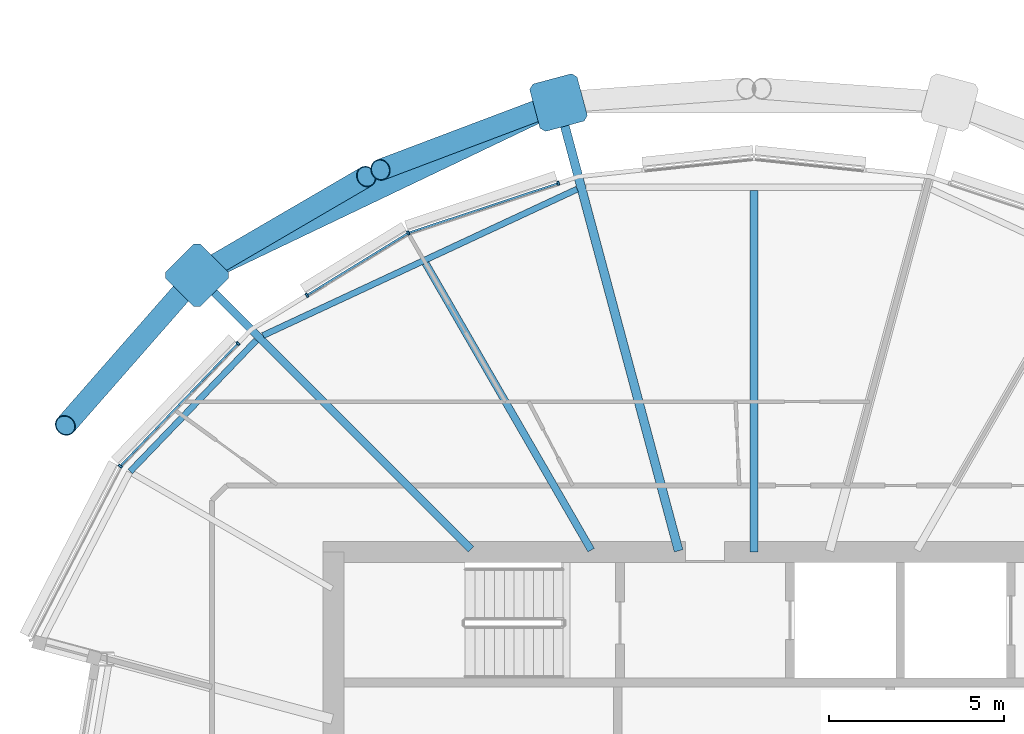
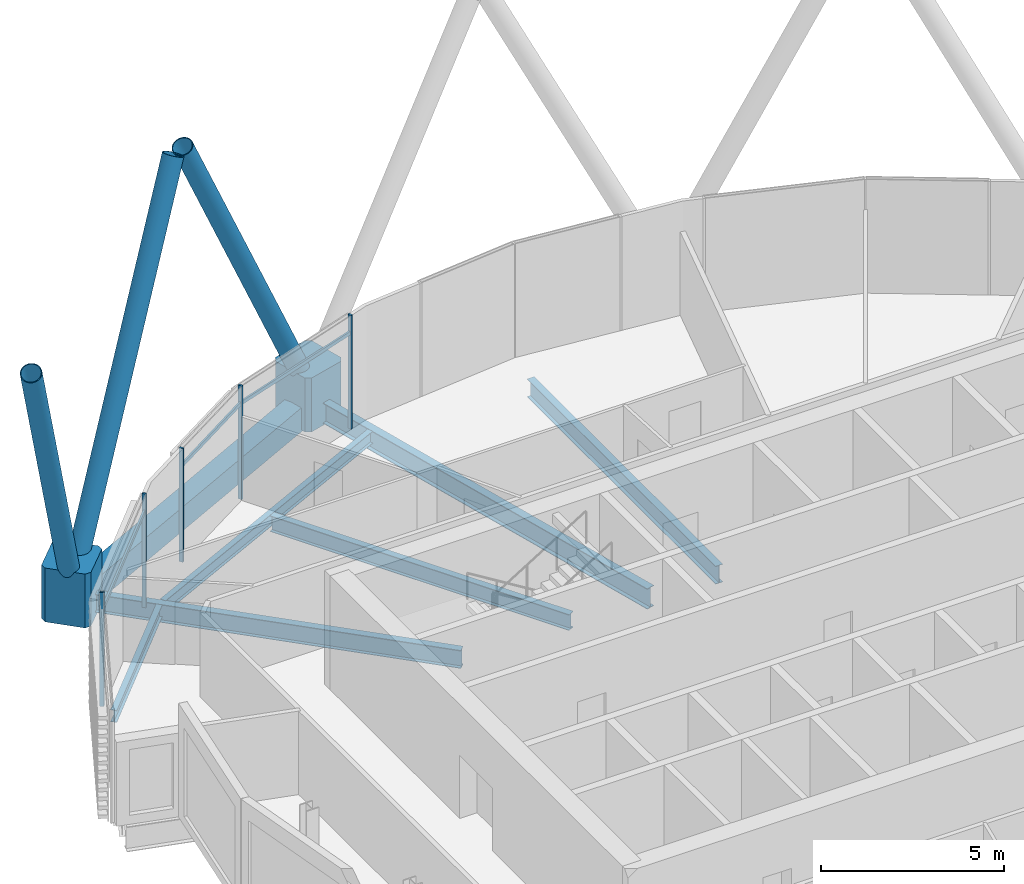
# One storey, part 10 of 36: 13 members, 7 beams, 1 element without a shape of its own.
"""IFC4 building model written with IfcOpenShell, lengths in metres."""

from ifc_helpers import new_model, si_unit, direction, frame, origin, origin_2d, place, context, subcontext, project, spatial, polyline, rectangle, hollow_rectangle, hollow_circle, i_section, outline, extrude, material, material_profile, profile_set, type_object, element, aggregate, save


model = new_model("IFC4")

# Units and contexts
model_context = context("Model", 3, precision=1e-05, world=origin(), true_north=direction((0.0, 1.0)))
body_context = subcontext(model_context, "Body", "Model", "MODEL_VIEW")
ifc_project = project(units=[si_unit("LENGTHUNIT", "METRE"), si_unit("AREAUNIT", "SQUARE_METRE"), si_unit("VOLUMEUNIT", "CUBIC_METRE"), si_unit("PLANEANGLEUNIT", "RADIAN"), si_unit("MASSUNIT", "GRAM", prefix="KILO")], contexts=[model_context])

# Site, building, storey
site_placement = place(None, origin())
site = spatial("IfcSite", under=ifc_project, at=site_placement, CompositionType="ELEMENT")
building_placement = place(site_placement, origin())
building = spatial("IfcBuilding", under=site, at=building_placement, Name="Rimbun Link Towers", CompositionType="ELEMENT")
storey_placement = place(building_placement, frame((0.0, 0.0, 193.10009765625)))
storey = spatial("IfcBuildingStorey", under=building, at=storey_placement, Name="L47", CompositionType="ELEMENT", Elevation=193.10009765625)

# Curtain wall, members
ifc_material_1 = material(Name="Aluminium 6063-T6 and low-iron glass", Category="aluminium")
curtain_wall_type = type_object("IfcCurtainWallType", Name="CW1-Z3 unitised vision wall (zone 3)", PredefinedType="NOTDEFINED", material=ifc_material_1)
curtain_wall_placement = place(storey_placement, origin())
curtain_wall = element("IfcCurtainWall", 1, at=curtain_wall_placement, inside=storey, type_object=curtain_wall_type, Name="CW1 L47 T1", PredefinedType="NOTDEFINED")
ifc_material_2 = material(Name="Aluminium 6063-T6", Category="aluminium")
ifc_material_profile_1 = material_profile(ifc_material_2, rectangle(XDim=0.1201171875, YDim=0.06005859375, at=origin_2d()), Name="MULLION 60X120")
ifc_profile_set_1 = profile_set([ifc_material_profile_1], Name="Aluminium 6063-T6")
member_type_1 = type_object("IfcMemberType", Name="CW1 mullion 60X120", PredefinedType="MULLION", material=ifc_profile_set_1)
member_1_placement = place(storey_placement, frame((-41.618896484375, 17.10400390625, 0.0), z_axis=(0.0, 0.0, 1.0), x_axis=(-0.421694621362, 0.906737914899, 0.0)))
member_1 = element("IfcMember", 2, at=member_1_placement, type_object=member_type_1, Name="CW1 mullion", PredefinedType="MULLION", context=body_context, shape_type="SweptSolid", body=[
    extrude(rectangle(XDim=0.1201171875, YDim=0.06005859375, at=origin_2d()), origin(), (0.0, 0.0, 1.0), 3.7998046875),
])
member_2_placement = place(storey_placement, frame((-37.337158203125, 18.5234375, 0.0), z_axis=(0.0, 0.0, 1.0), x_axis=(-0.314557993327, 0.949238257149, 0.0)))
member_2 = element("IfcMember", 3, at=member_2_placement, type_object=member_type_1, Name="CW1 mullion", PredefinedType="MULLION", context=body_context, shape_type="SweptSolid", body=[
    extrude(rectangle(XDim=0.1201171875, YDim=0.06005859375, at=origin_2d()), origin(), (0.0, 0.0, 1.0), 3.7998046875),
])
member_3_placement = place(storey_placement, frame((-44.51318359375, 15.327392578125, 0.0), z_axis=(0.0, 0.0, 1.0), x_axis=(-0.523229231966, 0.852191980023, 0.0)))
member_3 = element("IfcMember", 4, at=member_3_placement, type_object=member_type_1, Name="CW1 mullion", PredefinedType="MULLION", context=body_context, shape_type="SweptSolid", body=[
    extrude(rectangle(XDim=0.1201171875, YDim=0.06005859375, at=origin_2d()), origin(), (0.0, 0.0, 1.0), 3.7998046875),
])
member_4_placement = place(storey_placement, frame((-49.839111328125, 10.450439453125, 0.0), z_axis=(0.0, 0.0, 1.0), x_axis=(-0.813350615069, 0.581773819423, 0.0)))
member_4 = element("IfcMember", 5, at=member_4_placement, type_object=member_type_1, Name="CW1 mullion", PredefinedType="MULLION", context=body_context, shape_type="SweptSolid", body=[
    extrude(rectangle(XDim=0.1201171875, YDim=0.06005859375, at=origin_2d()), origin(), (0.0, 0.0, 1.0), 3.7998046875),
])
member_5_placement = place(storey_placement, frame((-46.482421875, 13.952880859375, 0.0), z_axis=(0.0, 0.0, 1.0), x_axis=(-0.721858505917, 0.692040676143, 0.0)))
member_5 = element("IfcMember", 6, at=member_5_placement, type_object=member_type_1, Name="CW1 mullion", PredefinedType="MULLION", context=body_context, shape_type="SweptSolid", body=[
    extrude(rectangle(XDim=0.1201171875, YDim=0.06005859375, at=origin_2d()), origin(), (0.0, 0.0, 1.0), 3.7998046875),
])
ifc_material_3 = material(Name="Aluminium 6063-T6", Category="aluminium")
ifc_material_profile_2 = material_profile(ifc_material_3, rectangle(XDim=0.06005859375, YDim=0.1201171875, at=origin_2d()), Name="TRANSOM 60X120")
ifc_profile_set_2 = profile_set([ifc_material_profile_2], Name="Aluminium 6063-T6")
member_type_2 = type_object("IfcMemberType", Name="CW1 transom 60X120", PredefinedType="USERDEFINED", material=ifc_profile_set_2)
member_6_placement = place(storey_placement, frame((-41.583251953125, 17.1142578125, 3.199951171875), z_axis=(0.949247657744, 0.314529623833, 0.0), x_axis=(-0.314529623833, 0.949247657744, 0.0)))
member_6 = element("IfcMember", 7, at=member_6_placement, type_object=member_type_2, Name="CW1 transom", ObjectType="TRANSOM", PredefinedType="USERDEFINED", context=body_context, shape_type="SweptSolid", body=[
    extrude(rectangle(XDim=0.06005859375, YDim=0.1201171875, at=origin_2d()), origin(), (0.0, 0.0, 1.0), 4.44384765625),
])
member_7_placement = place(storey_placement, frame((-44.486572265625, 15.341552734375, 3.199951171875), z_axis=(0.852194171963, 0.523225661901, 0.0), x_axis=(-0.523225661901, 0.852194171963, 0.0)))
member_7 = element("IfcMember", 8, at=member_7_placement, type_object=member_type_2, Name="CW1 transom", ObjectType="TRANSOM", PredefinedType="USERDEFINED", context=body_context, shape_type="SweptSolid", body=[
    extrude(rectangle(XDim=0.06005859375, YDim=0.1201171875, at=origin_2d()), origin(), (0.0, 0.0, 1.0), 3.329345703125),
])
member_8_placement = place(storey_placement, frame((-49.8115234375, 10.477294921875, 3.199951171875), z_axis=(0.692018439281, 0.721879823582, 0.0), x_axis=(-0.721879823582, 0.692018439281, 0.0)))
member_8 = element("IfcMember", 9, at=member_8_placement, type_object=member_type_2, Name="CW1 transom", ObjectType="TRANSOM", PredefinedType="USERDEFINED", context=body_context, shape_type="SweptSolid", body=[
    extrude(rectangle(XDim=0.06005859375, YDim=0.1201171875, at=origin_2d()), origin(), (0.0, 0.0, 1.0), 4.782958984375),
])
aggregate(curtain_wall, [member_1, member_2, member_3, member_4, member_5, member_6, member_7, member_8])

# Members
ifc_material_4 = material(Name="Steel S355J2H", Category="steel")
ifc_material_profile_3 = material_profile(ifc_material_4, hollow_circle(Radius=0.3046875, WallThickness=0.02490234375, at=origin_2d()), Name="Diagrid diagonal CHS 610x25")
ifc_profile_set_3 = profile_set([ifc_material_profile_3], Name="Steel S355J2H")
member_type_3 = type_object("IfcMemberType", Name="Diagrid diagonal CHS 610x25", PredefinedType="BRACE", material=ifc_profile_set_3)
member_9_placement = place(storey_placement, frame((-37.538818359375, 20.75, 0.44775390625), z_axis=(-0.415751650565, -0.157031197344, 0.895819048756), x_axis=(0.353340436783, -0.935494807967, 0.0)))
element("IfcMember", 10, at=member_9_placement, inside=storey, type_object=member_type_3, Name="Diagrid diagonal T1 L47-L50 07b", PredefinedType="BRACE", context=body_context, shape_type="SweptSolid", body=[
    extrude(hollow_circle(Radius=0.3046875, WallThickness=0.02490234375, at=origin_2d()), origin(), (0.0, 0.0, 1.0), 11.725830078125),
])
member_10_placement = place(storey_placement, frame((-47.452880859375, 16.013916015625, 0.4453125), z_axis=(0.392796143423, 0.228986247327, 0.890660703212), x_axis=(-0.503633329111, 0.863917513313, 0.0)))
element("IfcMember", 11, at=member_10_placement, inside=storey, type_object=member_type_3, Name="Diagrid diagonal T1 L47-L50 09a", PredefinedType="BRACE", context=body_context, shape_type="SweptSolid", body=[
    extrude(hollow_circle(Radius=0.3046875, WallThickness=0.02490234375, at=origin_2d()), origin(), (0.0, 0.0, 1.0), 11.79931640625),
])
member_11_placement = place(storey_placement, frame((-47.801513671875, 15.7255859375, 0.443359375), z_axis=(-0.304382608155, -0.347127188009, 0.887047881006), x_axis=(0.751882503674, -0.659297126241, 0.0)))
element("IfcMember", 12, at=member_11_placement, inside=storey, type_object=member_type_3, Name="Diagrid diagonal T1 L47-L50 09b", PredefinedType="BRACE", context=body_context, shape_type="SweptSolid", body=[
    extrude(hollow_circle(Radius=0.3046875, WallThickness=0.02490234375, at=origin_2d()), origin(), (0.0, 0.0, 1.0), 11.8515625),
])
ifc_material_5 = material(Name="Cast steel G20Mn5+QT, Rp0.2 300 MPa", Category="steel")
ifc_material_profile_4 = material_profile(ifc_material_5, outline(polyline([(0.699951171875, -0.570068359375), (0.699951171875, 0.570068359375), (0.570068359375, 0.699951171875), (-0.570068359375, 0.699951171875), (-0.699951171875, 0.570068359375), (-0.699951171875, -0.570068359375), (-0.570068359375, -0.699951171875), (0.570068359375, -0.699951171875), (0.699951171875, -0.570068359375)])), Name="NODE 1400x1400")
ifc_profile_set_4 = profile_set([ifc_material_profile_4], Name="Cast steel G20Mn5+QT, Rp0.2 300 MPa")
member_type_4 = type_object("IfcMemberType", Name="Diagrid node cast 1400", PredefinedType="USERDEFINED", material=ifc_profile_set_4)
for number, where, z_axis, x_axis, name in (
    (13, (-37.3310546875, 20.82861328125, -0.900146484375), (0.0, 0.0, 1.0), (-0.258819045103, 0.965925826289, 0.0), "Diagrid node L47 07"),
    (14, (-47.6494140625, 15.8994140625, -0.900146484375), (0.0, 0.0, 1.0), (-0.707106781187, 0.707106781187, 0.0), "Diagrid node L47 09"),
):
    element("IfcMember", number, at=place(storey_placement, frame(where, z_axis=z_axis, x_axis=x_axis)), inside=storey, type_object=member_type_4, Name=name, ObjectType="Diagrid node", PredefinedType="USERDEFINED", context=body_context, shape_type="SweptSolid", body=[
        extrude(outline(polyline([(0.699951171875, -0.570068359375), (0.699951171875, 0.570068359375), (0.570068359375, 0.699951171875), (-0.570068359375, 0.699951171875), (-0.699951171875, 0.570068359375), (-0.699951171875, -0.570068359375), (-0.570068359375, -0.699951171875), (0.570068359375, -0.699951171875), (0.699951171875, -0.570068359375)])), origin(), (0.0, 0.0, 1.0), 1.800048828125),
    ])

# Beams
ifc_material_6 = material(Name="Steel S355J2", Category="steel")
ifc_material_profile_5 = material_profile(ifc_material_6, hollow_rectangle(XDim=0.60009765625, YDim=0.800048828125, WallThickness=0.0400390625, at=origin_2d()), Name="Exoskeleton ring girder BOX 600x800x40")
ifc_profile_set_5 = profile_set([ifc_material_profile_5], Name="Steel S355J2")
beam_type_1 = type_object("IfcBeamType", Name="Exoskeleton ring girder BOX 600x800x40", PredefinedType="BEAM", material=ifc_profile_set_5)
beam_1_placement = place(storey_placement, frame((-37.962646484375, 20.52685546875, -0.56005859375), z_axis=(-0.902316117844, -0.431074962714, 0.0), x_axis=(0.431074962714, -0.902316117844, 0.0)))
element("IfcBeam", 15, at=beam_1_placement, inside=storey, type_object=beam_type_1, Name="Exoskeleton ring girder L47 03", PredefinedType="BEAM", context=body_context, shape_type="SweptSolid", body=[
    extrude(hollow_rectangle(XDim=0.60009765625, YDim=0.800048828125, WallThickness=0.0400390625, at=origin_2d()), origin(), (0.0, 0.0, 1.0), 10.03515625),
])
ifc_material_7 = material(Name="Steel S355J2", Category="steel")
ifc_material_profile_6 = material_profile(ifc_material_7, i_section(OverallWidth=0.177978515625, OverallDepth=0.406494140625, WebThickness=0.0078125, FlangeThickness=0.0126953125, at=origin_2d()), Name="UB 406x178x60")
ifc_profile_set_6 = profile_set([ifc_material_profile_6], Name="Steel S355J2")
beam_type_2 = type_object("IfcBeamType", Name="UB 406x178x60", PredefinedType="BEAM", material=ifc_profile_set_6)
beam_2_placement = place(storey_placement, frame((-36.80078125, 18.35595703125, -0.353271484375), z_axis=(-0.906418841359, -0.422380023238, 0.0), x_axis=(0.422380023238, -0.906418841359, 0.0)))
element("IfcBeam", 16, at=beam_2_placement, inside=storey, type_object=beam_type_2, Name="Edge beam T1 L47 07-09", PredefinedType="BEAM", context=body_context, shape_type="SweptSolid", body=[
    extrude(i_section(OverallWidth=0.177978515625, OverallDepth=0.406494140625, WebThickness=0.0078125, FlangeThickness=0.0126953125, at=origin_2d()), origin(), (0.0, 0.0, 1.0), 9.890869140625),
])
beam_3_placement = place(storey_placement, frame((-45.95751953125, 14.04248046875, -0.353271484375), z_axis=(-0.692988499999, -0.720948638163, 0.0), x_axis=(0.720948638163, -0.692988499999, 0.0)))
element("IfcBeam", 17, at=beam_3_placement, inside=storey, type_object=beam_type_2, Name="Edge beam T1 L47 09", PredefinedType="BEAM", context=body_context, shape_type="SweptSolid", body=[
    extrude(i_section(OverallWidth=0.177978515625, OverallDepth=0.406494140625, WebThickness=0.0078125, FlangeThickness=0.0126953125, at=origin_2d()), origin(), (0.0, 0.0, 1.0), 5.1953125),
])
ifc_material_8 = material(Name="Steel S355J2", Category="steel")
ifc_material_profile_7 = material_profile(ifc_material_8, i_section(OverallWidth=0.209228515625, OverallDepth=0.533203125, WebThickness=0.010009765625, FlangeThickness=0.015625, at=origin_2d()), Name="UB 533x210x92")
ifc_profile_set_7 = profile_set([ifc_material_profile_7], Name="Steel S355J2")
beam_type_3 = type_object("IfcBeamType", Name="UB 533x210x92", PredefinedType="BEAM", material=ifc_profile_set_7)
beam_4_placement = place(storey_placement, frame((-36.3994140625, 8.05322265625, -0.416748046875), z_axis=(-0.500007824733, 0.866020886126, 0.0), x_axis=(-0.866020886126, -0.500007824733, 0.0)))
element("IfcBeam", 18, at=beam_4_placement, inside=storey, type_object=beam_type_3, Name="Radial beam T1 L47 08", PredefinedType="BEAM", context=body_context, shape_type="SweptSolid", body=[
    extrude(i_section(OverallWidth=0.209228515625, OverallDepth=0.533203125, WebThickness=0.010009765625, FlangeThickness=0.015625, at=origin_2d()), origin(), (0.0, 0.0, 1.0), 9.454345703125),
])
ifc_material_9 = material(Name="Steel S355J2", Category="steel")
ifc_material_profile_8 = material_profile(ifc_material_9, i_section(OverallWidth=0.2275390625, OverallDepth=0.6025390625, WebThickness=0.010498046875, FlangeThickness=0.014892578125, at=origin_2d()), Name="UB 610x229x101")
ifc_profile_set_8 = profile_set([ifc_material_profile_8], Name="Steel S355J2")
beam_type_4 = type_object("IfcBeamType", Name="UB 610x229x101", PredefinedType="BEAM", material=ifc_profile_set_8)
beam_5_placement = place(storey_placement, frame((-31.75, 8.0009765625, -0.451416015625), z_axis=(0.0, 1.0, 0.0), x_axis=(-1.0, 0.0, 0.0)))
element("IfcBeam", 19, at=beam_5_placement, inside=storey, type_object=beam_type_4, Name="Radial beam T1 L47 06", PredefinedType="BEAM", context=body_context, shape_type="SweptSolid", body=[
    extrude(i_section(OverallWidth=0.2275390625, OverallDepth=0.6025390625, WebThickness=0.010498046875, FlangeThickness=0.014892578125, at=origin_2d()), origin(), (0.0, 0.0, 1.0), 10.31982421875),
])
beam_6_placement = place(storey_placement, frame((-39.831298828125, 8.081298828125, -0.451416015625), z_axis=(-0.707106781187, 0.707106781187, 0.0), x_axis=(-0.707106781187, -0.707106781187, 0.0)))
element("IfcBeam", 20, at=beam_6_placement, inside=storey, type_object=beam_type_4, Name="Radial beam T1 L47 09", PredefinedType="BEAM", context=body_context, shape_type="SweptSolid", body=[
    extrude(i_section(OverallWidth=0.2275390625, OverallDepth=0.6025390625, WebThickness=0.010498046875, FlangeThickness=0.014892578125, at=origin_2d()), origin(), (0.0, 0.0, 1.0), 10.55615234375),
])
ifc_material_10 = material(Name="Steel S355J2", Category="steel")
ifc_material_profile_9 = material_profile(ifc_material_10, i_section(OverallWidth=0.253662109375, OverallDepth=0.68359375, WebThickness=0.012451171875, FlangeThickness=0.01904296875, at=origin_2d()), Name="UB 686x254x140")
ifc_profile_set_9 = profile_set([ifc_material_profile_9], Name="Steel S355J2")
beam_type_5 = type_object("IfcBeamType", Name="UB 686x254x140", PredefinedType="BEAM", material=ifc_profile_set_9)
beam_7_placement = place(storey_placement, frame((-33.902587890625, 8.03369140625, -0.491943359375), z_axis=(-0.258824803498, 0.965924283313, 0.0), x_axis=(-0.965924283313, -0.258824803498, 0.0)))
element("IfcBeam", 21, at=beam_7_placement, inside=storey, type_object=beam_type_5, Name="Radial beam T1 L47 07", PredefinedType="BEAM", context=body_context, shape_type="SweptSolid", body=[
    extrude(i_section(OverallWidth=0.253662109375, OverallDepth=0.68359375, WebThickness=0.012451171875, FlangeThickness=0.01904296875, at=origin_2d()), origin(), (0.0, 0.0, 1.0), 12.746337890625),
])

save(model, "model.ifc")
